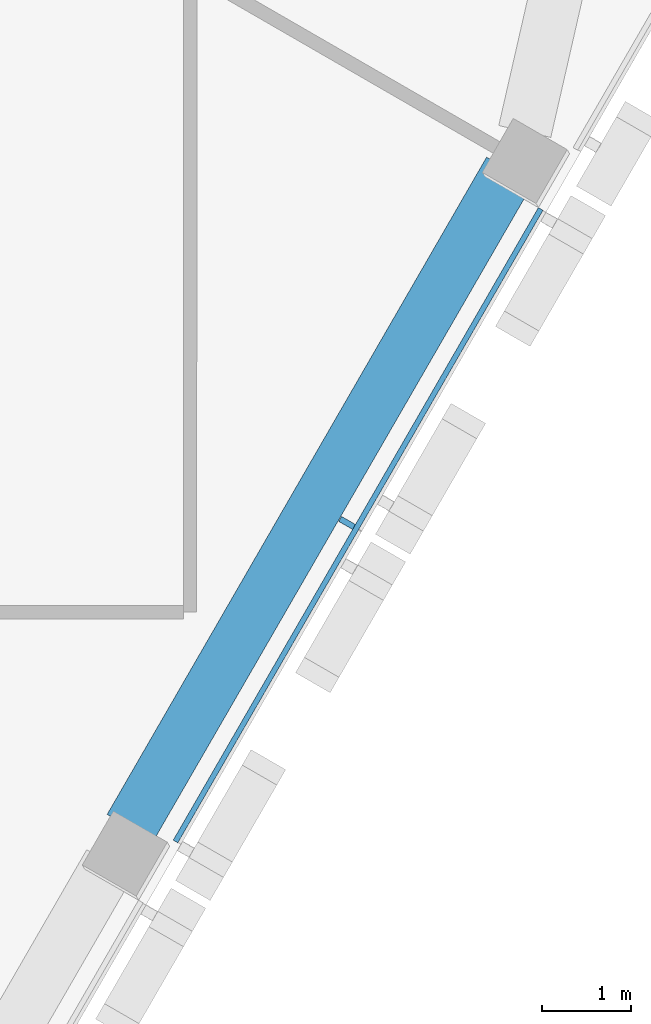
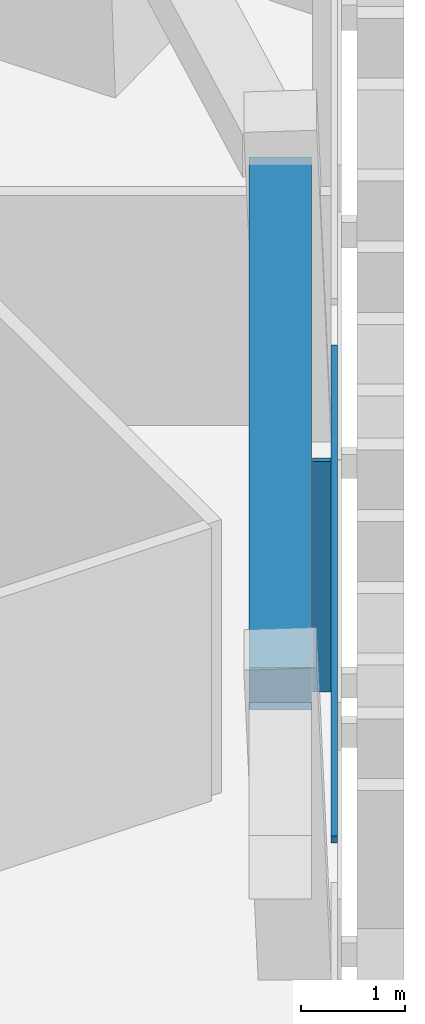
# One storey, part 4 of 14: 2 members, 1 beam, 1 element without a shape of its own.
"""IFC4 building model written with IfcOpenShell, lengths in metres."""

from ifc_helpers import new_model, si_unit, direction, frame, origin, origin_2d, place, context, subcontext, project, spatial, rectangle, extrude, material, layer, layer_set, material_profile, profile_set, type_object, element, aggregate, save


model = new_model("IFC4")

# Units and contexts
model_context = context("Model", 3, precision=1e-05, world=origin(), true_north=direction((0.0, 1.0)))
body_context = subcontext(model_context, "Body", "Model", "MODEL_VIEW")
ifc_project = project(units=[si_unit("LENGTHUNIT", "METRE"), si_unit("AREAUNIT", "SQUARE_METRE"), si_unit("VOLUMEUNIT", "CUBIC_METRE"), si_unit("PLANEANGLEUNIT", "RADIAN"), si_unit("MASSUNIT", "GRAM", prefix="KILO")], contexts=[model_context])

# Site, building, storey
site_placement = place(None, origin())
site = spatial("IfcSite", under=ifc_project, at=site_placement, CompositionType="ELEMENT")
building_placement = place(site_placement, origin())
building = spatial("IfcBuilding", under=site, at=building_placement, Name="Altiplano Prism Tower", CompositionType="ELEMENT")
storey_placement = place(building_placement, frame((0.0, 0.0, 295.0)))
storey = spatial("IfcBuildingStorey", under=building, at=storey_placement, Name="L76", CompositionType="ELEMENT", Elevation=295.0)

# Curtain wall, members
ifc_material_1 = material(Name="Aluminium and glass", Category="aluminium")
ifc_layer = layer(ifc_material_1, 0.280029296875)
ifc_layer_set = layer_set([ifc_layer], Name="Aluminium and glass")
curtain_wall_type = type_object("IfcCurtainWallType", Name="CW1 typical co-living unitised curtain wall", PredefinedType="NOTDEFINED", material=ifc_layer_set)
curtain_wall_placement = place(storey_placement, origin())
curtain_wall = element("IfcCurtainWall", 1, at=curtain_wall_placement, inside=storey, type_object=curtain_wall_type, Name="CW1 curtain wall south-east face L76", PredefinedType="NOTDEFINED")
ifc_material_2 = material(Name="Aluminium", Category="aluminium")
ifc_material_profile_1 = material_profile(ifc_material_2, rectangle(XDim=0.179931640625, YDim=0.06494140625, at=origin_2d()), Name="CW1 mullion 65 x 180")
ifc_profile_set_1 = profile_set([ifc_material_profile_1], Name="Aluminium")
member_type_1 = type_object("IfcMemberType", Name="CW1 mullion 65 x 180", PredefinedType="MULLION", material=ifc_profile_set_1)
member_1_placement = place(storey_placement, frame((101.567138671875, 91.703125, 0.0), z_axis=(0.0, 0.0, 1.0), x_axis=(-0.866025409195, 0.499999990629, 0.0)))
member_1 = element("IfcMember", 2, at=member_1_placement, type_object=member_type_1, Name="CW1 mullion", PredefinedType="MULLION", context=body_context, shape_type="SweptSolid", body=[
    extrude(rectangle(XDim=0.179931640625, YDim=0.06494140625, at=origin_2d()), origin(), (0.0, 0.0, 1.0), 2.699951171875),
])
ifc_material_profile_2 = material_profile(ifc_material_2, rectangle(XDim=0.06005859375, YDim=0.080078125, at=origin_2d()), Name="CW1 transom 80 x 60")
ifc_profile_set_2 = profile_set([ifc_material_profile_2], Name="Aluminium")
member_type_2 = type_object("IfcMemberType", Name="CW1 transom 80 x 60", PredefinedType="USERDEFINED", material=ifc_profile_set_2)
member_2_placement = place(storey_placement, frame((99.635986328125, 88.1181640625, 1.10009765625), z_axis=(0.499991554064, 0.866030279993, 0.0), x_axis=(-0.866030279993, 0.499991554064, 0.0)))
member_2 = element("IfcMember", 3, at=member_2_placement, type_object=member_type_2, Name="CW1 transom", ObjectType="TRANSOM", PredefinedType="USERDEFINED", context=body_context, shape_type="SweptSolid", body=[
    extrude(rectangle(XDim=0.06005859375, YDim=0.080078125, at=origin_2d()), origin(), (0.0, 0.0, 1.0), 8.219970703125),
])
aggregate(curtain_wall, [member_1, member_2])

# Beam
ifc_material_3 = material(Name="Concrete C60/75", Category="concrete")
ifc_material_profile_3 = material_profile(ifc_material_3, rectangle(XDim=0.60009765625, YDim=0.5, at=origin_2d()), Name="Edge beam 600x500")
ifc_profile_set_3 = profile_set([ifc_material_profile_3], Name="Concrete C60/75")
beam_type = type_object("IfcBeamType", Name="Edge beam 600x500", PredefinedType="SPANDREL", material=ifc_profile_set_3)
beam_placement = place(storey_placement, frame((99.126953125, 88.27392578125, 2.949951171875), z_axis=(0.500007039007, 0.866021339774, 0.0), x_axis=(-0.866021339774, 0.500007039007, 0.0)))
element("IfcBeam", 4, at=beam_placement, inside=storey, type_object=beam_type, Name="Edge beam P23-P24 L77", PredefinedType="SPANDREL", context=body_context, shape_type="SweptSolid", body=[
    extrude(rectangle(XDim=0.60009765625, YDim=0.5, at=origin_2d()), origin(), (0.0, 0.0, 1.0), 8.5400390625),
])

save(model, "model.ifc")
